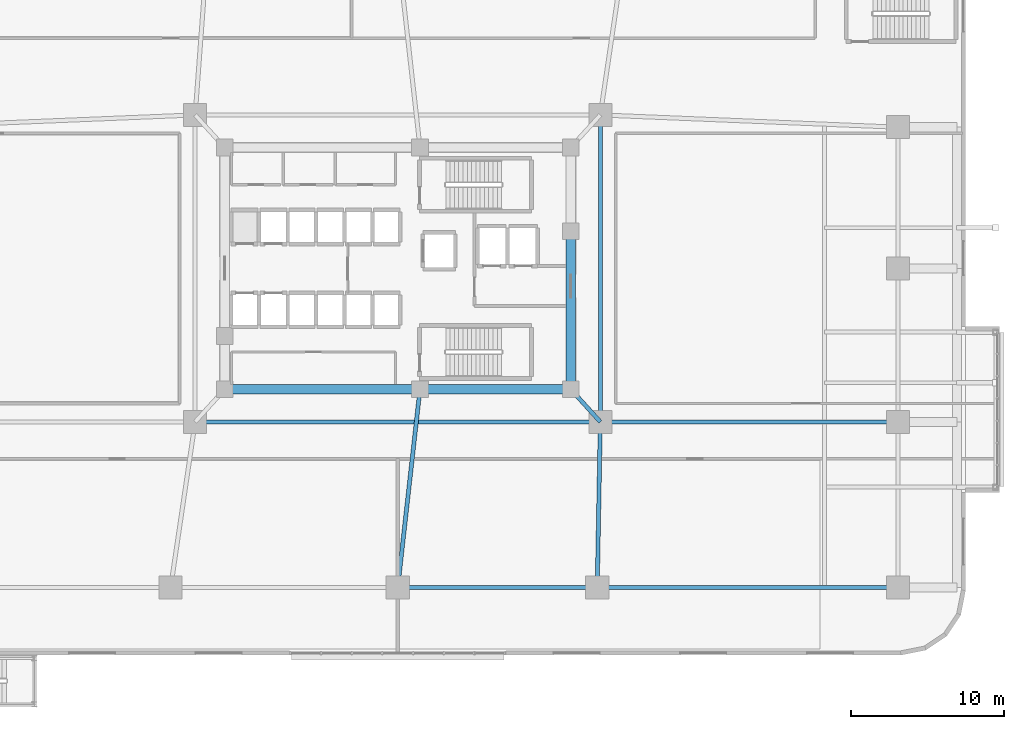
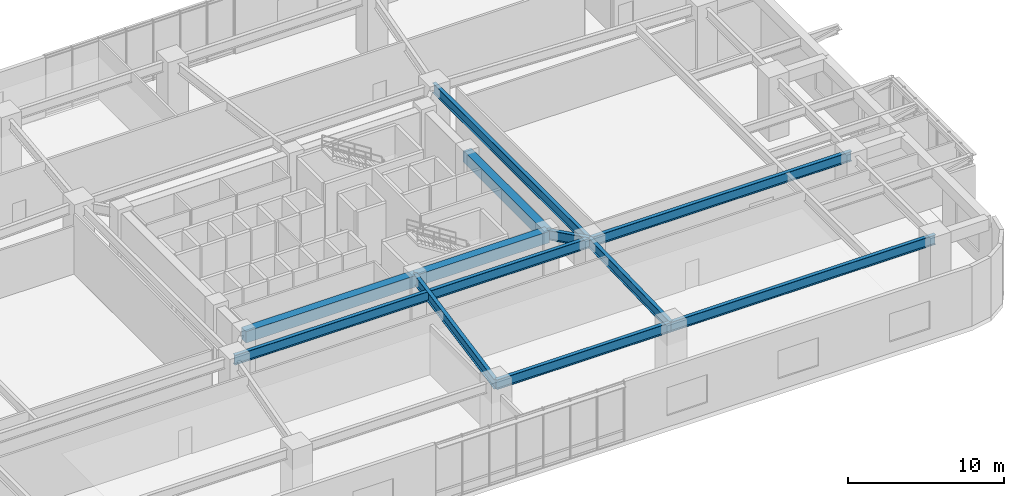
# One storey, part 4 of 23: 11 beams.
"""IFC4 building model written with IfcOpenShell, lengths in metres."""

import ifcopenshell
import ifcopenshell.guid

model = None  # the IFC model being written
_history = None  # IfcOwnerHistory: only IFC2X3 demands one
_inside = {}  # id of a spatial element -> (the spatial element, [elements in it])
_under = {}  # id of a project, library or spatial element -> (it, [spatial elements below it])
_declared = {}  # id of a project -> (the project, [libraries it declares])
_typed = {}  # id of a type object -> (the type object, [elements of that type])
_made_of = {}  # id of a material, layer set ... -> (it, [elements and type objects made of it])


def new_model(schema):
    """Start an empty IFC model of exactly this schema.

    Asked for "IFC4X3", IfcOpenShell would pick the latest addendum, in which some entities
    have other attributes; the version numbers below select the first issue.
    IFC2X3 requires an IfcOwnerHistory on every rooted entity: one is made here for all.
    """
    global model, _history
    if schema == "IFC4X3":
        model = ifcopenshell.file(schema_version=(4, 3, 0, 0))
    else:
        model = ifcopenshell.file(schema=schema)
    _inside.clear()
    _under.clear()
    _declared.clear()
    _typed.clear()
    _made_of.clear()
    _history = None
    if model.schema == "IFC2X3":
        org = make("IfcOrganization", Name="unknown")
        user = make(
            "IfcPersonAndOrganization",
            ThePerson=make("IfcPerson", FamilyName="unknown"),
            TheOrganization=org,
        )
        app = make(
            "IfcApplication",
            ApplicationDeveloper=org,
            Version="unknown",
            ApplicationFullName="unknown",
            ApplicationIdentifier="unknown",
        )
        _history = make(
            "IfcOwnerHistory",
            OwningUser=user,
            OwningApplication=app,
            ChangeAction="ADDED",
            CreationDate=0,
        )
    return model


def make(cls, **values):
    """One entity of the class cls with the attributes given. An attribute that is None is left unset."""
    return model.create_entity(
        cls, **{name: value for name, value in values.items() if value is not None}
    )


def rooted(cls, **values):
    """An entity with a GlobalId (a new one), such as an element, a storey or a relation."""
    return make(cls, GlobalId=ifcopenshell.guid.new(), OwnerHistory=_history, **values)


def si_unit(unit_type, name, prefix=None):
    """IfcSIUnit, for example si_unit("LENGTHUNIT", "METRE", prefix="MILLI")."""
    return make("IfcSIUnit", UnitType=unit_type, Prefix=prefix, Name=name)


def assignment(units):
    """IfcUnitAssignment: the units of a project."""
    return None if units is None else make("IfcUnitAssignment", Units=units)


def point(xyz):
    """IfcCartesianPoint."""
    return None if xyz is None else make("IfcCartesianPoint", Coordinates=xyz)


def direction(xyz):
    """IfcDirection."""
    return None if xyz is None else make("IfcDirection", DirectionRatios=xyz)


def frame(location, z_axis=None, x_axis=None):
    """IfcAxis2Placement3D, a coordinate frame: its origin and axes. An axis left out is left unset."""
    return make(
        "IfcAxis2Placement3D",
        Location=point(location),
        Axis=direction(z_axis),
        RefDirection=direction(x_axis),
    )


def frame_2d(location, x_axis=None):
    """IfcAxis2Placement2D, a coordinate frame in the plane: its origin and x axis."""
    return make(
        "IfcAxis2Placement2D", Location=point(location), RefDirection=direction(x_axis)
    )


def origin():
    """The frame at (0, 0, 0) with its axes left unset."""
    return frame((0.0, 0.0, 0.0))


def origin_2d():
    """The frame at (0, 0) in the plane with its x axis left unset."""
    return frame_2d((0.0, 0.0))


def place(relative_to, where):
    """IfcLocalPlacement: puts the frame where relative to a parent placement (None: the world)."""
    return make(
        "IfcLocalPlacement", PlacementRelTo=relative_to, RelativePlacement=where
    )


def context(
    kind, dimensions, precision=None, world=None, true_north=None, identifier=None
):
    """IfcGeometricRepresentationContext, for example the 3D "Model" context."""
    return make(
        "IfcGeometricRepresentationContext",
        ContextIdentifier=identifier,
        ContextType=kind,
        CoordinateSpaceDimension=dimensions,
        Precision=precision,
        WorldCoordinateSystem=world,
        TrueNorth=true_north,
    )


def subcontext(parent, identifier, kind, view, scale=None):
    """IfcGeometricRepresentationSubContext, for example "Body" below "Model"."""
    return make(
        "IfcGeometricRepresentationSubContext",
        ContextIdentifier=identifier,
        ContextType=kind,
        ParentContext=parent,
        TargetScale=scale,
        TargetView=view,
    )


def project(units=None, contexts=None):
    """IfcProject with its units and contexts."""
    return rooted(
        "IfcProject",
        Name="project",
        RepresentationContexts=contexts,
        UnitsInContext=assignment(units),
    )


def spatial(cls, under=None, at=None, **own):
    """A site, building, storey or space (cls), placed at a placement, below another one or the project."""
    s = rooted(cls, ObjectPlacement=at, **own)
    if under is not None:
        _under.setdefault(under.id(), (under, []))[1].append(s)
    return s


def profile(cls, at=None, kind="AREA", **sizes):
    """A parametric profile (cls). Its sizes go by their IFC names, for example OverallWidth=200.0."""
    return make(cls, ProfileType=kind, Position=at, **sizes)


def rectangle(**sizes):
    """IfcRectangleProfileDef."""
    return profile("IfcRectangleProfileDef", **sizes)


def i_section(**sizes):
    """IfcIShapeProfileDef."""
    return profile("IfcIShapeProfileDef", **sizes)


def extrude(swept, where, along, depth):
    """IfcExtrudedAreaSolid: the profile swept, set in the frame where, extruded along a direction by depth."""
    return make(
        "IfcExtrudedAreaSolid",
        SweptArea=swept,
        Position=where,
        ExtrudedDirection=direction(along),
        Depth=depth,
    )


def shape(context_of_items, identifier, shape_type, items):
    """IfcShapeRepresentation: the items that make up one representation, for example the "Body"."""
    return make(
        "IfcShapeRepresentation",
        ContextOfItems=context_of_items,
        RepresentationIdentifier=identifier,
        RepresentationType=shape_type,
        Items=items,
    )


def material(Name=None, Category=None):
    """IfcMaterial."""
    return make("IfcMaterial", Name=Name, Category=Category)


def material_profile(
    of_material, cross_section, Name=None, Category=None, Priority=None
):
    """IfcMaterialProfile: a cross section and its material."""
    return make(
        "IfcMaterialProfile",
        Name=Name,
        Material=of_material,
        Profile=cross_section,
        Priority=Priority,
        Category=Category,
    )


def profile_set(profiles, Name=None, composite=None):
    """IfcMaterialProfileSet."""
    return make(
        "IfcMaterialProfileSet",
        Name=Name,
        MaterialProfiles=profiles,
        CompositeProfile=composite,
    )


def made_of(thing, what):
    """Note that an element or type object is made of a material, layer set ...; save() writes the relation."""
    if what is not None:
        _made_of.setdefault(what.id(), (what, []))[1].append(thing)
    return thing


def type_object(cls, material=None, **own):
    """A type object (cls), such as IfcWallType, which elements share."""
    return made_of(rooted(cls, **own), material)


def element(
    cls,
    number,
    at=None,
    inside=None,
    cuts=None,
    type_object=None,
    material=None,
    context=None,
    identifier="Body",
    shape_type=None,
    held_by="IfcProductDefinitionShape",
    body=None,
    shapes=None,
    **own,
):
    """One element of the class cls, such as IfcWall. Its Tag is "e" and its number.

    at: its placement. inside: the storey or other place that contains it. cuts: it is an
    opening in that element (IfcRelVoidsElement). A single representation is given by context,
    identifier, shape_type and body (its items); several are given by shapes. held_by: the class
    of the entity that holds the representations. save() writes the other relations.
    """
    e = rooted(cls, Tag="e%d" % number, ObjectPlacement=at, **own)
    if body is not None:
        shapes = [shape(context, identifier, shape_type, body)]
    if shapes is not None:
        e.Representation = make(held_by, Representations=shapes)
    if inside is not None:
        _inside.setdefault(inside.id(), (inside, []))[1].append(e)
    if cuts is not None:
        rooted(
            "IfcRelVoidsElement", RelatingBuildingElement=cuts, RelatedOpeningElement=e
        )
    if type_object is not None:
        _typed.setdefault(type_object.id(), (type_object, []))[1].append(e)
    return made_of(e, material)


def aggregate(whole, parts):
    """IfcRelAggregates: a whole, such as a stair, and the parts it consists of."""
    return rooted("IfcRelAggregates", RelatingObject=whole, RelatedObjects=parts)


def save(model, path):
    """Write the relations noted so far, then the file.

    IfcRelAggregates (storeys below a building ...), IfcRelContainedInSpatialStructure (elements
    in a storey), IfcRelDefinesByType, IfcRelAssociatesMaterial and IfcRelDeclares: one each for
    every whole, place, type object, material and project.
    """
    for whole, parts in _under.values():
        aggregate(whole, parts)
    for where, things in _inside.values():
        rooted(
            "IfcRelContainedInSpatialStructure",
            RelatedElements=things,
            RelatingStructure=where,
        )
    for kind, things in _typed.values():
        rooted("IfcRelDefinesByType", RelatedObjects=things, RelatingType=kind)
    for what, things in _made_of.values():
        rooted("IfcRelAssociatesMaterial", RelatedObjects=things, RelatingMaterial=what)
    for by, libraries in _declared.values():
        rooted("IfcRelDeclares", RelatingContext=by, RelatedDefinitions=libraries)
    model.write(path)


model = new_model("IFC4")

# Units and contexts
model_context = context("Model", 3, precision=1e-05, world=origin(), true_north=direction((0.0, 1.0)))
body_context = subcontext(model_context, "Body", "Model", "MODEL_VIEW")
ifc_project = project(units=[si_unit("LENGTHUNIT", "METRE"), si_unit("AREAUNIT", "SQUARE_METRE"), si_unit("VOLUMEUNIT", "CUBIC_METRE"), si_unit("PLANEANGLEUNIT", "RADIAN"), si_unit("MASSUNIT", "GRAM", prefix="KILO")], contexts=[model_context])

# Site, building, storey
site_placement = place(None, origin())
site = spatial("IfcSite", under=ifc_project, at=site_placement, CompositionType="ELEMENT")
building_placement = place(site_placement, origin())
building = spatial("IfcBuilding", under=site, at=building_placement, Name="Zulverin Broadcast Headquarters", CompositionType="ELEMENT")
storey_placement = place(building_placement, frame((0.0, 0.0, 10.0)))
storey = spatial("IfcBuildingStorey", under=building, at=storey_placement, Name="L02", CompositionType="ELEMENT", Elevation=10.0)

# Beams
ifc_material_1 = material(Name="Concrete C60/75", Category="concrete")
ifc_material_profile_1 = material_profile(ifc_material_1, rectangle(XDim=0.60009765625, YDim=0.89990234375, at=origin_2d()), Name="Concrete C60/75", Category="concrete")
ifc_profile_set_1 = profile_set([ifc_material_profile_1], Name="Concrete C60/75")
beam_type_1 = type_object("IfcBeamType", Name="BM-CB-600x900", PredefinedType="LINTEL", material=ifc_profile_set_1)
beam_1_placement = place(storey_placement, frame((25.72509765625, 17.324951171875, 4.22998046875), z_axis=(1.0, 0.0, 0.0), x_axis=(0.0, 1.0, 0.0)))
element("IfcBeam", 1, at=beam_1_placement, inside=storey, type_object=beam_type_1, Name="L02 Core Coupling Girder K01-K02", PredefinedType="LINTEL", context=body_context, shape_type="SweptSolid", body=[
    extrude(rectangle(XDim=0.60009765625, YDim=0.89990234375, at=origin_2d()), origin(), (0.0, 0.0, 1.0), 12.724853515625),
])
beam_2_placement = place(storey_placement, frame((38.449951171875, 17.324951171875, 4.22998046875), z_axis=(1.0, 0.0, 0.0), x_axis=(0.0, 1.0, 0.0)))
element("IfcBeam", 2, at=beam_2_placement, inside=storey, type_object=beam_type_1, Name="L02 Core Coupling Girder K02-K03", PredefinedType="LINTEL", context=body_context, shape_type="SweptSolid", body=[
    extrude(rectangle(XDim=0.60009765625, YDim=0.89990234375, at=origin_2d()), origin(), (0.0, 0.0, 1.0), 9.824951171875),
])
beam_3_placement = place(storey_placement, frame((48.27490234375, 17.324951171875, 4.22998046875), z_axis=(0.0, 1.0, 0.0), x_axis=(-1.0, 0.0, 0.0)))
element("IfcBeam", 3, at=beam_3_placement, inside=storey, type_object=beam_type_1, Name="L02 Core Coupling Girder K03-K04", PredefinedType="LINTEL", context=body_context, shape_type="SweptSolid", body=[
    extrude(rectangle(XDim=0.60009765625, YDim=0.89990234375, at=origin_2d()), origin(), (0.0, 0.0, 1.0), 10.295166015625),
])
ifc_material_2 = material(Name="Structural steel S355JR", Category="steel")
ifc_material_profile_2 = material_profile(ifc_material_2, i_section(OverallWidth=0.26806640625, OverallDepth=0.769775390625, WebThickness=0.015625, FlangeThickness=0.025390625, at=origin_2d()), Name="Structural steel S355JR", Category="steel")
ifc_profile_set_2 = profile_set([ifc_material_profile_2], Name="Structural steel S355JR")
beam_type_2 = type_object("IfcBeamType", Name="BM-UB-762", PredefinedType="BEAM", material=ifc_profile_set_2)
beam_4_placement = place(storey_placement, frame((37.0, 4.39990234375, 4.295166015625), z_axis=(1.0, 0.0, 0.0), x_axis=(0.0, 1.0, 0.0)))
element("IfcBeam", 4, at=beam_4_placement, inside=storey, type_object=beam_type_2, Name="L02 Podium Primary Girder P03-P04", PredefinedType="BEAM", context=body_context, shape_type="SweptSolid", body=[
    extrude(i_section(OverallWidth=0.26806640625, OverallDepth=0.769775390625, WebThickness=0.015625, FlangeThickness=0.025390625, at=origin_2d()), origin(), (0.0, 0.0, 1.0), 13.0),
])
beam_5_placement = place(storey_placement, frame((50.0, 4.39990234375, 4.295166015625), z_axis=(1.0, 0.0, 0.0), x_axis=(0.0, 1.0, 0.0)))
element("IfcBeam", 5, at=beam_5_placement, inside=storey, type_object=beam_type_2, Name="L02 Podium Primary Girder P04-P05", PredefinedType="BEAM", context=body_context, shape_type="SweptSolid", body=[
    extrude(i_section(OverallWidth=0.26806640625, OverallDepth=0.769775390625, WebThickness=0.015625, FlangeThickness=0.025390625, at=origin_2d()), origin(), (0.0, 0.0, 1.0), 19.60009765625),
])
beam_6_placement = place(storey_placement, frame((50.199951171875, 15.199951171875, 4.295166015625), z_axis=(-0.671379160881, 0.741114041383, 0.0), x_axis=(-0.741114041383, -0.671379160881, 0.0)))
element("IfcBeam", 6, at=beam_6_placement, inside=storey, type_object=beam_type_2, Name="L02 Podium Primary Girder M02-K03", PredefinedType="BEAM", context=body_context, shape_type="SweptSolid", body=[
    extrude(i_section(OverallWidth=0.26806640625, OverallDepth=0.769775390625, WebThickness=0.015625, FlangeThickness=0.025390625, at=origin_2d()), origin(), (0.0, 0.0, 1.0), 2.8671875),
])
beam_7_placement = place(storey_placement, frame((23.800048828125, 15.199951171875, 4.295166015625), z_axis=(1.0, 0.0, 0.0), x_axis=(0.0, 1.0, 0.0)))
element("IfcBeam", 7, at=beam_7_placement, inside=storey, type_object=beam_type_2, Name="L02 Podium Primary Girder M01-M02", PredefinedType="BEAM", context=body_context, shape_type="SweptSolid", body=[
    extrude(i_section(OverallWidth=0.26806640625, OverallDepth=0.769775390625, WebThickness=0.015625, FlangeThickness=0.025390625, at=origin_2d()), origin(), (0.0, 0.0, 1.0), 26.39990234375),
])
beam_8_placement = place(storey_placement, frame((50.199951171875, 15.199951171875, 4.295166015625), z_axis=(0.0, 1.0, 0.0), x_axis=(-1.0, 0.0, 0.0)))
element("IfcBeam", 8, at=beam_8_placement, inside=storey, type_object=beam_type_2, Name="L02 Podium Primary Girder M02-M03", PredefinedType="BEAM", context=body_context, shape_type="SweptSolid", body=[
    extrude(i_section(OverallWidth=0.26806640625, OverallDepth=0.769775390625, WebThickness=0.015625, FlangeThickness=0.025390625, at=origin_2d()), origin(), (0.0, 0.0, 1.0), 20.0),
])
beam_9_placement = place(storey_placement, frame((37.0, 4.39990234375, 4.295166015625), z_axis=(0.111482194079, 0.993766431514, 0.0), x_axis=(-0.993766431514, 0.111482194079, 0.0)))
element("IfcBeam", 9, at=beam_9_placement, inside=storey, type_object=beam_type_2, Name="L02 Podium Primary Girder P03-K02", PredefinedType="BEAM", context=body_context, shape_type="SweptSolid", body=[
    extrude(i_section(OverallWidth=0.26806640625, OverallDepth=0.769775390625, WebThickness=0.015625, FlangeThickness=0.025390625, at=origin_2d()), origin(), (0.0, 0.0, 1.0), 13.006103515625),
])
beam_10_placement = place(storey_placement, frame((50.0, 4.39990234375, 4.295166015625), z_axis=(0.018510741547, 0.999828661545, 0.0), x_axis=(-0.999828661545, 0.018510741547, 0.0)))
element("IfcBeam", 10, at=beam_10_placement, inside=storey, type_object=beam_type_2, Name="L02 Podium Primary Girder P04-M02", PredefinedType="BEAM", context=body_context, shape_type="SweptSolid", body=[
    extrude(i_section(OverallWidth=0.26806640625, OverallDepth=0.769775390625, WebThickness=0.015625, FlangeThickness=0.025390625, at=origin_2d()), origin(), (0.0, 0.0, 1.0), 10.802001953125),
])
beam_11_placement = place(storey_placement, frame((50.199951171875, 15.199951171875, 4.295166015625), z_axis=(1.0, 0.0, 0.0), x_axis=(0.0, 1.0, 0.0)))
element("IfcBeam", 11, at=beam_11_placement, inside=storey, type_object=beam_type_2, Name="L02 East Studio South Tie Girder", PredefinedType="BEAM", context=body_context, shape_type="SweptSolid", body=[
    extrude(i_section(OverallWidth=0.26806640625, OverallDepth=0.769775390625, WebThickness=0.015625, FlangeThickness=0.025390625, at=origin_2d()), origin(), (0.0, 0.0, 1.0), 19.400146484375),
])

save(model, "model.ifc")
